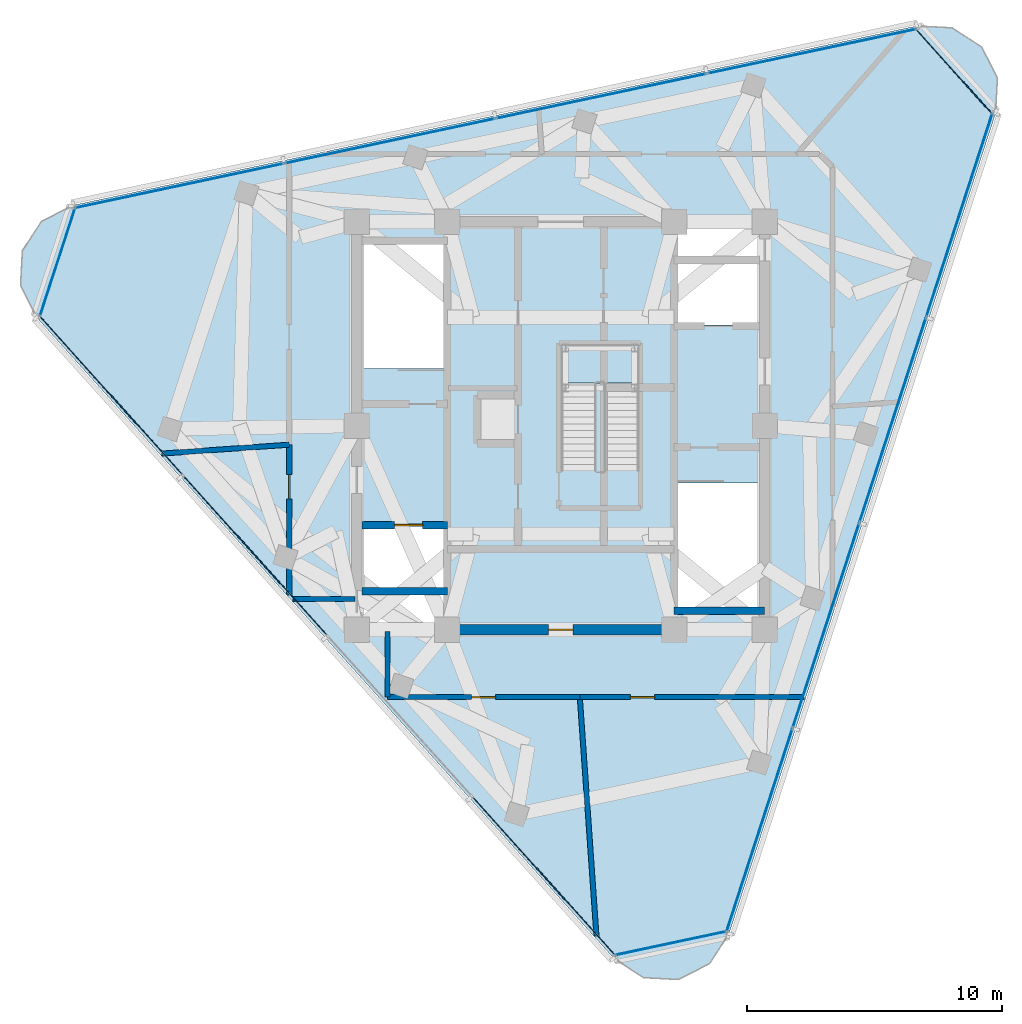
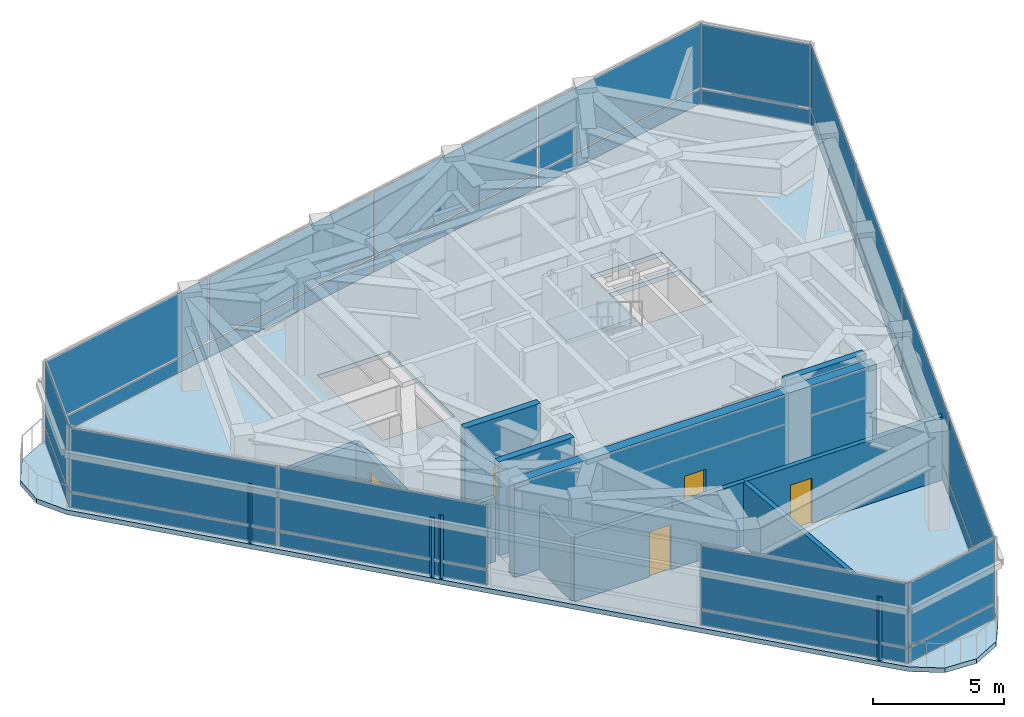
# One storey, part 6 of 11: 28 plates, 11 walls, 5 doors, 2 slabs, 5 openings, 7 elements without a shape of their own.
"""IFC4 building model written with IfcOpenShell, lengths in metres."""

import ifcopenshell
import ifcopenshell.guid

model = None  # the IFC model being written
_history = None  # IfcOwnerHistory: only IFC2X3 demands one
_inside = {}  # id of a spatial element -> (the spatial element, [elements in it])
_under = {}  # id of a project, library or spatial element -> (it, [spatial elements below it])
_declared = {}  # id of a project -> (the project, [libraries it declares])
_typed = {}  # id of a type object -> (the type object, [elements of that type])
_made_of = {}  # id of a material, layer set ... -> (it, [elements and type objects made of it])


def new_model(schema):
    """Start an empty IFC model of exactly this schema.

    Asked for "IFC4X3", IfcOpenShell would pick the latest addendum, in which some entities
    have other attributes; the version numbers below select the first issue.
    IFC2X3 requires an IfcOwnerHistory on every rooted entity: one is made here for all.
    """
    global model, _history
    if schema == "IFC4X3":
        model = ifcopenshell.file(schema_version=(4, 3, 0, 0))
    else:
        model = ifcopenshell.file(schema=schema)
    _inside.clear()
    _under.clear()
    _declared.clear()
    _typed.clear()
    _made_of.clear()
    _history = None
    if model.schema == "IFC2X3":
        org = make("IfcOrganization", Name="unknown")
        user = make(
            "IfcPersonAndOrganization",
            ThePerson=make("IfcPerson", FamilyName="unknown"),
            TheOrganization=org,
        )
        app = make(
            "IfcApplication",
            ApplicationDeveloper=org,
            Version="unknown",
            ApplicationFullName="unknown",
            ApplicationIdentifier="unknown",
        )
        _history = make(
            "IfcOwnerHistory",
            OwningUser=user,
            OwningApplication=app,
            ChangeAction="ADDED",
            CreationDate=0,
        )
    return model


def make(cls, **values):
    """One entity of the class cls with the attributes given. An attribute that is None is left unset."""
    return model.create_entity(
        cls, **{name: value for name, value in values.items() if value is not None}
    )


def rooted(cls, **values):
    """An entity with a GlobalId (a new one), such as an element, a storey or a relation."""
    return make(cls, GlobalId=ifcopenshell.guid.new(), OwnerHistory=_history, **values)


def si_unit(unit_type, name, prefix=None):
    """IfcSIUnit, for example si_unit("LENGTHUNIT", "METRE", prefix="MILLI")."""
    return make("IfcSIUnit", UnitType=unit_type, Prefix=prefix, Name=name)


def assignment(units):
    """IfcUnitAssignment: the units of a project."""
    return None if units is None else make("IfcUnitAssignment", Units=units)


def point(xyz):
    """IfcCartesianPoint."""
    return None if xyz is None else make("IfcCartesianPoint", Coordinates=xyz)


def direction(xyz):
    """IfcDirection."""
    return None if xyz is None else make("IfcDirection", DirectionRatios=xyz)


def frame(location, z_axis=None, x_axis=None):
    """IfcAxis2Placement3D, a coordinate frame: its origin and axes. An axis left out is left unset."""
    return make(
        "IfcAxis2Placement3D",
        Location=point(location),
        Axis=direction(z_axis),
        RefDirection=direction(x_axis),
    )


def frame_2d(location, x_axis=None):
    """IfcAxis2Placement2D, a coordinate frame in the plane: its origin and x axis."""
    return make(
        "IfcAxis2Placement2D", Location=point(location), RefDirection=direction(x_axis)
    )


def origin():
    """The frame at (0, 0, 0) with its axes left unset."""
    return frame((0.0, 0.0, 0.0))


def origin_2d():
    """The frame at (0, 0) in the plane with its x axis left unset."""
    return frame_2d((0.0, 0.0))


def place(relative_to, where):
    """IfcLocalPlacement: puts the frame where relative to a parent placement (None: the world)."""
    return make(
        "IfcLocalPlacement", PlacementRelTo=relative_to, RelativePlacement=where
    )


def context(
    kind, dimensions, precision=None, world=None, true_north=None, identifier=None
):
    """IfcGeometricRepresentationContext, for example the 3D "Model" context."""
    return make(
        "IfcGeometricRepresentationContext",
        ContextIdentifier=identifier,
        ContextType=kind,
        CoordinateSpaceDimension=dimensions,
        Precision=precision,
        WorldCoordinateSystem=world,
        TrueNorth=true_north,
    )


def subcontext(parent, identifier, kind, view, scale=None):
    """IfcGeometricRepresentationSubContext, for example "Body" below "Model"."""
    return make(
        "IfcGeometricRepresentationSubContext",
        ContextIdentifier=identifier,
        ContextType=kind,
        ParentContext=parent,
        TargetScale=scale,
        TargetView=view,
    )


def project(units=None, contexts=None):
    """IfcProject with its units and contexts."""
    return rooted(
        "IfcProject",
        Name="project",
        RepresentationContexts=contexts,
        UnitsInContext=assignment(units),
    )


def spatial(cls, under=None, at=None, **own):
    """A site, building, storey or space (cls), placed at a placement, below another one or the project."""
    s = rooted(cls, ObjectPlacement=at, **own)
    if under is not None:
        _under.setdefault(under.id(), (under, []))[1].append(s)
    return s


def polyline(points):
    """IfcPolyline through the points."""
    return make("IfcPolyline", Points=[point(p) for p in points])


def profile(cls, at=None, kind="AREA", **sizes):
    """A parametric profile (cls). Its sizes go by their IFC names, for example OverallWidth=200.0."""
    return make(cls, ProfileType=kind, Position=at, **sizes)


def rectangle(**sizes):
    """IfcRectangleProfileDef."""
    return profile("IfcRectangleProfileDef", **sizes)


def outline(outer, holes=None, kind="AREA"):
    """IfcArbitraryClosedProfileDef: a profile drawn as a closed curve; with holes, ...WithVoids."""
    if holes is None:
        return make("IfcArbitraryClosedProfileDef", ProfileType=kind, OuterCurve=outer)
    return make(
        "IfcArbitraryProfileDefWithVoids",
        ProfileType=kind,
        OuterCurve=outer,
        InnerCurves=holes,
    )


def extrude(swept, where, along, depth):
    """IfcExtrudedAreaSolid: the profile swept, set in the frame where, extruded along a direction by depth."""
    return make(
        "IfcExtrudedAreaSolid",
        SweptArea=swept,
        Position=where,
        ExtrudedDirection=direction(along),
        Depth=depth,
    )


def shape(context_of_items, identifier, shape_type, items):
    """IfcShapeRepresentation: the items that make up one representation, for example the "Body"."""
    return make(
        "IfcShapeRepresentation",
        ContextOfItems=context_of_items,
        RepresentationIdentifier=identifier,
        RepresentationType=shape_type,
        Items=items,
    )


def material(Name=None, Category=None):
    """IfcMaterial."""
    return make("IfcMaterial", Name=Name, Category=Category)


def layer(
    of_material, thickness, ventilated=None, Name=None, Category=None, Priority=None
):
    """IfcMaterialLayer: one layer of a wall or slab, of a material (None: an air gap)."""
    return make(
        "IfcMaterialLayer",
        Material=of_material,
        LayerThickness=thickness,
        IsVentilated=ventilated,
        Name=Name,
        Category=Category,
        Priority=Priority,
    )


def layer_set(layers, Name=None):
    """IfcMaterialLayerSet."""
    return make("IfcMaterialLayerSet", MaterialLayers=layers, LayerSetName=Name)


def made_of(thing, what):
    """Note that an element or type object is made of a material, layer set ...; save() writes the relation."""
    if what is not None:
        _made_of.setdefault(what.id(), (what, []))[1].append(thing)
    return thing


def type_object(cls, material=None, **own):
    """A type object (cls), such as IfcWallType, which elements share."""
    return made_of(rooted(cls, **own), material)


def element(
    cls,
    number,
    at=None,
    inside=None,
    cuts=None,
    type_object=None,
    material=None,
    context=None,
    identifier="Body",
    shape_type=None,
    held_by="IfcProductDefinitionShape",
    body=None,
    shapes=None,
    **own,
):
    """One element of the class cls, such as IfcWall. Its Tag is "e" and its number.

    at: its placement. inside: the storey or other place that contains it. cuts: it is an
    opening in that element (IfcRelVoidsElement). A single representation is given by context,
    identifier, shape_type and body (its items); several are given by shapes. held_by: the class
    of the entity that holds the representations. save() writes the other relations.
    """
    e = rooted(cls, Tag="e%d" % number, ObjectPlacement=at, **own)
    if body is not None:
        shapes = [shape(context, identifier, shape_type, body)]
    if shapes is not None:
        e.Representation = make(held_by, Representations=shapes)
    if inside is not None:
        _inside.setdefault(inside.id(), (inside, []))[1].append(e)
    if cuts is not None:
        rooted(
            "IfcRelVoidsElement", RelatingBuildingElement=cuts, RelatedOpeningElement=e
        )
    if type_object is not None:
        _typed.setdefault(type_object.id(), (type_object, []))[1].append(e)
    return made_of(e, material)


def fill(opening, filler):
    """IfcRelFillsElement: the door or window that sits in an opening."""
    return rooted(
        "IfcRelFillsElement",
        RelatingOpeningElement=opening,
        RelatedBuildingElement=filler,
    )


def aggregate(whole, parts):
    """IfcRelAggregates: a whole, such as a stair, and the parts it consists of."""
    return rooted("IfcRelAggregates", RelatingObject=whole, RelatedObjects=parts)


def save(model, path):
    """Write the relations noted so far, then the file.

    IfcRelAggregates (storeys below a building ...), IfcRelContainedInSpatialStructure (elements
    in a storey), IfcRelDefinesByType, IfcRelAssociatesMaterial and IfcRelDeclares: one each for
    every whole, place, type object, material and project.
    """
    for whole, parts in _under.values():
        aggregate(whole, parts)
    for where, things in _inside.values():
        rooted(
            "IfcRelContainedInSpatialStructure",
            RelatedElements=things,
            RelatingStructure=where,
        )
    for kind, things in _typed.values():
        rooted("IfcRelDefinesByType", RelatedObjects=things, RelatingType=kind)
    for what, things in _made_of.values():
        rooted("IfcRelAssociatesMaterial", RelatedObjects=things, RelatingMaterial=what)
    for by, libraries in _declared.values():
        rooted("IfcRelDeclares", RelatingContext=by, RelatedDefinitions=libraries)
    model.write(path)


model = new_model("IFC4")

# Units and contexts
model_context = context("Model", 3, precision=1e-05, world=origin(), true_north=direction((0.0, 1.0)))
body_context = subcontext(model_context, "Body", "Model", "MODEL_VIEW")
ifc_project = project(units=[si_unit("LENGTHUNIT", "METRE"), si_unit("AREAUNIT", "SQUARE_METRE"), si_unit("VOLUMEUNIT", "CUBIC_METRE"), si_unit("PLANEANGLEUNIT", "RADIAN"), si_unit("MASSUNIT", "GRAM", prefix="KILO")], contexts=[model_context])

# Site, building, storey
site_placement = place(None, origin())
site = spatial("IfcSite", under=ifc_project, at=site_placement, CompositionType="ELEMENT")
building_placement = place(site_placement, origin())
building = spatial("IfcBuilding", under=site, at=building_placement, Name="Terralouvre Media Tower", CompositionType="ELEMENT")
storey_placement = place(building_placement, frame((0.0, 0.0, 322.0)))
storey = spatial("IfcBuildingStorey", under=building, at=storey_placement, Name="L83", CompositionType="ELEMENT", Elevation=322.0)

# Slab
ifc_material_1 = material(Name="Concrete C40/50", Category="concrete")
ifc_layer_1 = layer(ifc_material_1, 0.219970703125, Name="Crown Plant and Catwalk Slab S-CRN220")
ifc_layer_set_1 = layer_set([ifc_layer_1], Name="Concrete C40/50")
slab_type_1 = type_object("IfcSlabType", Name="Crown Plant and Catwalk Slab S-CRN220", PredefinedType="FLOOR", material=ifc_layer_set_1)
slab_1_placement = place(storey_placement, frame((0.0, 0.0, -0.219970703125), z_axis=(0.0, 0.0, 1.0), x_axis=(0.309016994375, 0.951056516295, 0.0)))
element("IfcSlab", 1, at=slab_1_placement, inside=storey, type_object=slab_type_1, Name="L83 Structural Floor Slab", PredefinedType="FLOOR", context=body_context, shape_type="SweptSolid", body=[
    extrude(outline(polyline([(-19.244873046875, -8.461181640625), (-19.60009765625, -9.7861328125), (-19.244873046875, -11.111083984375), (-18.27490234375, -12.0810546875), (-16.949951171875, -12.43603515625), (16.949951171875, -12.43603515625), (18.27490234375, -12.0810546875), (19.244873046875, -11.111083984375), (19.60009765625, -9.7861328125), (19.244873046875, -8.461181640625), (2.294921875, 20.897216796875), (1.324951171875, 21.8671875), (0.0, 22.22216796875), (-1.324951171875, 21.8671875), (-2.294921875, 20.897216796875), (-19.244873046875, -8.461181640625)]), holes=[polyline([(-8.671875, 5.3310546875), (-7.698486328125, 2.33544921875), (-8.839599609375, 1.964599609375), (-9.813232421875, 4.96044921875), (-8.671875, 5.3310546875)]), polyline([(-5.17822265625, 3.154296875), (-7.50830078125, 2.397216796875), (-8.481689453125, 5.39306640625), (-6.151611328125, 6.150146484375), (-5.17822265625, 3.154296875)]), polyline([(-5.483154296875, -6.618408203125), (-0.713623046875, -5.068603515625), (0.26904296875, -8.093017578125), (-4.50048828125, -9.642578125), (-5.483154296875, -6.618408203125)]), polyline([(4.50048828125, 9.642578125), (5.483154296875, 6.618408203125), (0.713623046875, 5.068603515625), (-0.26904296875, 8.093017578125), (4.50048828125, 9.642578125)]), polyline([(8.481689453125, -5.39306640625), (6.151611328125, -6.150146484375), (5.17822265625, -3.154296875), (7.50830078125, -2.397216796875), (8.481689453125, -5.39306640625)]), polyline([(9.813232421875, -4.96044921875), (8.671875, -5.3310546875), (7.698486328125, -2.33544921875), (8.839599609375, -1.964599609375), (9.813232421875, -4.96044921875)])]), origin(), (0.0, 0.0, 1.0), 0.219970703125),
])

# Stair, slab
ifc_material_2 = material(Name="Concrete C45/55", Category="concrete")
stair_type = type_object("IfcStairType", Name="Dogleg Stair Assembly ST-05", PredefinedType="HALF_TURN_STAIR", material=ifc_material_2)
stair_placement = place(storey_placement, origin())
stair = element("IfcStair", 2, at=stair_placement, inside=storey, type_object=stair_type, Name="L83 Crown Maintenance Stair ST-05", PredefinedType="HALF_TURN_STAIR")
ifc_material_3 = material(Name="Concrete C45/55", Category="concrete")
ifc_layer_2 = layer(ifc_material_3, 0.199951171875, Name="Reinforced Concrete Stair Half-Landing SL-LD1")
ifc_layer_set_2 = layer_set([ifc_layer_2], Name="Concrete C45/55")
slab_type_2 = type_object("IfcSlabType", Name="Reinforced Concrete Stair Half-Landing SL-LD1", PredefinedType="LANDING", material=ifc_layer_set_2)
slab_2_placement = place(storey_placement, frame((0.0, 0.0, 2.10009765625)))
slab_2 = element("IfcSlab", 3, at=slab_2_placement, type_object=slab_type_2, Name="ST-05 landing 1", PredefinedType="LANDING", context=body_context, shape_type="SweptSolid", body=[
    extrude(outline(polyline([(3.080078125, 1.6650390625), (3.080078125, 3.199951171875), (0.0, 3.199951171875), (0.0, 1.6650390625), (3.080078125, 1.6650390625)])), origin(), (0.0, 0.0, 1.0), 0.199951171875),
])
aggregate(stair, [slab_2])

# Curtain wall, plates
ifc_material_4 = material(Name="Low-iron laminated double glazing with solar-control coating", Category="glass")
ifc_layer_3 = layer(ifc_material_4, 0.1650390625, Name="Rounded Wind-Corner Curved Glazing CW-04")
ifc_layer_set_3 = layer_set([ifc_layer_3], Name="Low-iron laminated double glazing with solar-control coating")
curtain_wall_type_1 = type_object("IfcCurtainWallType", Name="Rounded Wind-Corner Curved Glazing CW-04", PredefinedType="NOTDEFINED", material=ifc_layer_set_3)
curtain_wall_1_placement = place(storey_placement, origin())
curtain_wall_1 = element("IfcCurtainWall", 4, at=curtain_wall_1_placement, inside=storey, type_object=curtain_wall_type_1, Name="L83 Rounded Wind-Corner Curtain Wall C0", PredefinedType="NOTDEFINED")
ifc_material_5 = material(Name="Low-iron laminated double glazing with solar-control coating", Category="glass")
ifc_layer_4 = layer(ifc_material_5, 0.0400390625, Name="Rounded Corner Laminated Vision Panel CWP-03")
ifc_layer_set_4 = layer_set([ifc_layer_4], Name="Low-iron laminated double glazing with solar-control coating")
plate_type_1 = type_object("IfcPlateType", Name="Rounded Corner Laminated Vision Panel CWP-03", PredefinedType="CURTAIN_PANEL", material=ifc_layer_set_4)
plate_1_placement = place(storey_placement, frame((4.315673828125, -20.303466796875, 0.074951171875), z_axis=(0.0, 0.0, 1.0), x_axis=(0.97814770891, 0.207911181887, 0.0)))
plate_1 = element("IfcPlate", 5, at=plate_1_placement, type_object=plate_type_1, Name="CW-04 panel 1.1", PredefinedType="CURTAIN_PANEL", context=body_context, shape_type="SweptSolid", body=[
    extrude(rectangle(XDim=4.43994140625, YDim=0.035888671875, at=origin_2d()), origin(), (0.0, 0.0, 1.0), 0.6875),
])
plate_2_placement = place(storey_placement, frame((4.315673828125, -20.303466796875, 0.83740234375), z_axis=(0.0, 0.0, 1.0), x_axis=(0.97814770891, 0.207911181887, 0.0)))
plate_2 = element("IfcPlate", 6, at=plate_2_placement, type_object=plate_type_1, Name="CW-04 panel 1.2", PredefinedType="CURTAIN_PANEL", context=body_context, shape_type="SweptSolid", body=[
    extrude(rectangle(XDim=4.43994140625, YDim=0.035888671875, at=origin_2d()), origin(), (0.0, 0.0, 1.0), 2.967529296875),
])
aggregate(curtain_wall_1, [plate_1, plate_2])

curtain_wall_2_placement = place(storey_placement, origin())
curtain_wall_2 = element("IfcCurtainWall", 7, at=curtain_wall_2_placement, inside=storey, type_object=curtain_wall_type_1, Name="L83 Rounded Wind-Corner Curtain Wall C1", PredefinedType="NOTDEFINED")
plate_3_placement = place(storey_placement, frame((15.425537109375, 13.88916015625, 0.074951171875), z_axis=(0.0, 0.0, 1.0), x_axis=(-0.66913178706, 0.743143762368, 0.0)))
plate_3 = element("IfcPlate", 8, at=plate_3_placement, type_object=plate_type_1, Name="CW-04 panel 1.1", PredefinedType="CURTAIN_PANEL", context=body_context, shape_type="SweptSolid", body=[
    extrude(rectangle(XDim=4.43994140625, YDim=0.035888671875, at=origin_2d()), origin(), (0.0, 0.0, 1.0), 0.6875),
])
plate_4_placement = place(storey_placement, frame((15.425537109375, 13.88916015625, 0.83740234375), z_axis=(0.0, 0.0, 1.0), x_axis=(-0.66913178706, 0.743143762368, 0.0)))
plate_4 = element("IfcPlate", 9, at=plate_4_placement, type_object=plate_type_1, Name="CW-04 panel 1.2", PredefinedType="CURTAIN_PANEL", context=body_context, shape_type="SweptSolid", body=[
    extrude(rectangle(XDim=4.43994140625, YDim=0.035888671875, at=origin_2d()), origin(), (0.0, 0.0, 1.0), 2.967529296875),
])
aggregate(curtain_wall_2, [plate_3, plate_4])

curtain_wall_3_placement = place(storey_placement, origin())
curtain_wall_3 = element("IfcCurtainWall", 10, at=curtain_wall_3_placement, inside=storey, type_object=curtain_wall_type_1, Name="L83 Rounded Wind-Corner Curtain Wall C2", PredefinedType="NOTDEFINED")
plate_5_placement = place(storey_placement, frame((-19.7412109375, 6.414306640625, 0.074951171875), z_axis=(0.0, 0.0, 1.0), x_axis=(-0.309017890708, -0.951056225058, 0.0)))
plate_5 = element("IfcPlate", 11, at=plate_5_placement, type_object=plate_type_1, Name="CW-04 panel 1.1", PredefinedType="CURTAIN_PANEL", context=body_context, shape_type="SweptSolid", body=[
    extrude(rectangle(XDim=4.43994140625, YDim=0.035888671875, at=origin_2d()), origin(), (0.0, 0.0, 1.0), 0.6875),
])
plate_6_placement = place(storey_placement, frame((-19.7412109375, 6.414306640625, 0.83740234375), z_axis=(0.0, 0.0, 1.0), x_axis=(-0.309017890708, -0.951056225058, 0.0)))
plate_6 = element("IfcPlate", 12, at=plate_6_placement, type_object=plate_type_1, Name="CW-04 panel 1.2", PredefinedType="CURTAIN_PANEL", context=body_context, shape_type="SweptSolid", body=[
    extrude(rectangle(XDim=4.43994140625, YDim=0.035888671875, at=origin_2d()), origin(), (0.0, 0.0, 1.0), 2.967529296875),
])
aggregate(curtain_wall_3, [plate_5, plate_6])

ifc_material_6 = material(Name="Low-iron laminated double glazing with solar-control coating", Category="glass")
ifc_layer_5 = layer(ifc_material_6, 0.1650390625, Name="Faceted Glass-Point Crown Curtain Wall CW-06")
ifc_layer_set_5 = layer_set([ifc_layer_5], Name="Low-iron laminated double glazing with solar-control coating")
curtain_wall_type_2 = type_object("IfcCurtainWallType", Name="Faceted Glass-Point Crown Curtain Wall CW-06", PredefinedType="NOTDEFINED", material=ifc_layer_set_5)
curtain_wall_4_placement = place(storey_placement, origin())
curtain_wall_4 = element("IfcCurtainWall", 13, at=curtain_wall_4_placement, inside=storey, type_object=curtain_wall_type_2, Name="L83 Facade Curtain Wall F0", PredefinedType="NOTDEFINED")
ifc_material_7 = material(Name="Low-iron laminated double glazing with solar-control coating", Category="glass")
ifc_layer_6 = layer(ifc_material_7, 0.035888671875, Name="Vision Double-Glazed Unit CWP-01")
ifc_layer_set_6 = layer_set([ifc_layer_6], Name="Low-iron laminated double glazing with solar-control coating")
plate_type_2 = type_object("IfcPlateType", Name="Vision Double-Glazed Unit CWP-01", PredefinedType="CURTAIN_PANEL", material=ifc_layer_set_6)
plate_7_placement = place(storey_placement, frame((7.790771484375, -15.87841796875, 0.074951171875), z_axis=(0.0, 0.0, 1.0), x_axis=(0.30901679585, 0.9510565808, 0.0)))
plate_7 = element("IfcPlate", 14, at=plate_7_placement, type_object=plate_type_2, Name="CW-06 panel 1.1", PredefinedType="CURTAIN_PANEL", context=body_context, shape_type="SweptSolid", body=[
    extrude(rectangle(XDim=8.362548828125, YDim=0.035888671875, at=origin_2d()), origin(), (0.0, 0.0, 1.0), 0.6875),
])
plate_8_placement = place(storey_placement, frame((7.790771484375, -15.87841796875, 0.83740234375), z_axis=(0.0, 0.0, 1.0), x_axis=(0.30901679585, 0.9510565808, 0.0)))
plate_8 = element("IfcPlate", 15, at=plate_8_placement, type_object=plate_type_2, Name="CW-06 panel 1.2", PredefinedType="CURTAIN_PANEL", context=body_context, shape_type="SweptSolid", body=[
    extrude(rectangle(XDim=8.362548828125, YDim=0.035888671875, at=origin_2d()), origin(), (0.0, 0.0, 1.0), 2.967529296875),
])
plate_9_placement = place(storey_placement, frame((10.40380859375, -7.8359375, 0.074951171875), z_axis=(0.0, 0.0, 1.0), x_axis=(0.30901679585, 0.9510565808, 0.0)))
plate_9 = element("IfcPlate", 16, at=plate_9_placement, type_object=plate_type_2, Name="CW-06 panel 2.1", PredefinedType="CURTAIN_PANEL", context=body_context, shape_type="SweptSolid", body=[
    extrude(rectangle(XDim=8.39990234375, YDim=0.035888671875, at=origin_2d()), origin(), (0.0, 0.0, 1.0), 0.6875),
])
plate_10_placement = place(storey_placement, frame((10.40380859375, -7.8359375, 0.83740234375), z_axis=(0.0, 0.0, 1.0), x_axis=(0.30901679585, 0.9510565808, 0.0)))
plate_10 = element("IfcPlate", 17, at=plate_10_placement, type_object=plate_type_2, Name="CW-06 panel 2.2", PredefinedType="CURTAIN_PANEL", context=body_context, shape_type="SweptSolid", body=[
    extrude(rectangle(XDim=8.39990234375, YDim=0.035888671875, at=origin_2d()), origin(), (0.0, 0.0, 1.0), 2.967529296875),
])
plate_11_placement = place(storey_placement, frame((13.022705078125, 0.22412109375, 0.074951171875), z_axis=(0.0, 0.0, 1.0), x_axis=(0.30901679585, 0.9510565808, 0.0)))
plate_11 = element("IfcPlate", 18, at=plate_11_placement, type_object=plate_type_2, Name="CW-06 panel 3.1", PredefinedType="CURTAIN_PANEL", context=body_context, shape_type="SweptSolid", body=[
    extrude(rectangle(XDim=8.39990234375, YDim=0.035888671875, at=origin_2d()), origin(), (0.0, 0.0, 1.0), 0.6875),
])
plate_12_placement = place(storey_placement, frame((13.022705078125, 0.22412109375, 0.83740234375), z_axis=(0.0, 0.0, 1.0), x_axis=(0.30901679585, 0.9510565808, 0.0)))
plate_12 = element("IfcPlate", 19, at=plate_12_placement, type_object=plate_type_2, Name="CW-06 panel 3.2", PredefinedType="CURTAIN_PANEL", context=body_context, shape_type="SweptSolid", body=[
    extrude(rectangle(XDim=8.39990234375, YDim=0.035888671875, at=origin_2d()), origin(), (0.0, 0.0, 1.0), 2.967529296875),
])
plate_13_placement = place(storey_placement, frame((15.635986328125, 8.2666015625, 0.074951171875), z_axis=(0.0, 0.0, 1.0), x_axis=(0.30901679585, 0.9510565808, 0.0)))
plate_13 = element("IfcPlate", 20, at=plate_13_placement, type_object=plate_type_2, Name="CW-06 panel 4.1", PredefinedType="CURTAIN_PANEL", context=body_context, shape_type="SweptSolid", body=[
    extrude(rectangle(XDim=8.362548828125, YDim=0.035888671875, at=origin_2d()), origin(), (0.0, 0.0, 1.0), 0.6875),
])
plate_14_placement = place(storey_placement, frame((15.635986328125, 8.2666015625, 0.83740234375), z_axis=(0.0, 0.0, 1.0), x_axis=(0.30901679585, 0.9510565808, 0.0)))
plate_14 = element("IfcPlate", 21, at=plate_14_placement, type_object=plate_type_2, Name="CW-06 panel 4.2", PredefinedType="CURTAIN_PANEL", context=body_context, shape_type="SweptSolid", body=[
    extrude(rectangle(XDim=8.362548828125, YDim=0.035888671875, at=origin_2d()), origin(), (0.0, 0.0, 1.0), 2.967529296875),
])
aggregate(curtain_wall_4, [plate_7, plate_8, plate_9, plate_10, plate_11, plate_12, plate_13, plate_14])

curtain_wall_5_placement = place(storey_placement, origin())
curtain_wall_5 = element("IfcCurtainWall", 22, at=curtain_wall_5_placement, inside=storey, type_object=curtain_wall_type_2, Name="L83 Facade Curtain Wall F1", PredefinedType="NOTDEFINED")
plate_15_placement = place(storey_placement, frame((9.855712890625, 14.68603515625, 0.074951171875), z_axis=(0.0, 0.0, 1.0), x_axis=(-0.978147633966, -0.207911534473, 0.0)))
plate_15 = element("IfcPlate", 23, at=plate_15_placement, type_object=plate_type_2, Name="CW-06 panel 1.1", PredefinedType="CURTAIN_PANEL", context=body_context, shape_type="SweptSolid", body=[
    extrude(rectangle(XDim=8.362548828125, YDim=0.035888671875, at=origin_2d()), origin(), (0.0, 0.0, 1.0), 0.6875),
])
plate_16_placement = place(storey_placement, frame((9.855712890625, 14.68603515625, 0.83740234375), z_axis=(0.0, 0.0, 1.0), x_axis=(-0.978147633966, -0.207911534473, 0.0)))
plate_16 = element("IfcPlate", 24, at=plate_16_placement, type_object=plate_type_2, Name="CW-06 panel 1.2", PredefinedType="CURTAIN_PANEL", context=body_context, shape_type="SweptSolid", body=[
    extrude(rectangle(XDim=8.362548828125, YDim=0.035888671875, at=origin_2d()), origin(), (0.0, 0.0, 1.0), 2.967529296875),
])
plate_17_placement = place(storey_placement, frame((1.584228515625, 12.927978515625, 0.074951171875), z_axis=(0.0, 0.0, 1.0), x_axis=(-0.978147633966, -0.207911534473, 0.0)))
plate_17 = element("IfcPlate", 25, at=plate_17_placement, type_object=plate_type_2, Name="CW-06 panel 2.1", PredefinedType="CURTAIN_PANEL", context=body_context, shape_type="SweptSolid", body=[
    extrude(rectangle(XDim=8.39990234375, YDim=0.035888671875, at=origin_2d()), origin(), (0.0, 0.0, 1.0), 0.6875),
])
plate_18_placement = place(storey_placement, frame((1.584228515625, 12.927978515625, 0.83740234375), z_axis=(0.0, 0.0, 1.0), x_axis=(-0.978147633966, -0.207911534473, 0.0)))
plate_18 = element("IfcPlate", 26, at=plate_18_placement, type_object=plate_type_2, Name="CW-06 panel 2.2", PredefinedType="CURTAIN_PANEL", context=body_context, shape_type="SweptSolid", body=[
    extrude(rectangle(XDim=8.39990234375, YDim=0.035888671875, at=origin_2d()), origin(), (0.0, 0.0, 1.0), 2.967529296875),
])
plate_19_placement = place(storey_placement, frame((-6.70556640625, 11.166015625, 0.074951171875), z_axis=(0.0, 0.0, 1.0), x_axis=(-0.978147633966, -0.207911534473, 0.0)))
plate_19 = element("IfcPlate", 27, at=plate_19_placement, type_object=plate_type_2, Name="CW-06 panel 3.1", PredefinedType="CURTAIN_PANEL", context=body_context, shape_type="SweptSolid", body=[
    extrude(rectangle(XDim=8.39990234375, YDim=0.035888671875, at=origin_2d()), origin(), (0.0, 0.0, 1.0), 0.6875),
])
plate_20_placement = place(storey_placement, frame((-6.70556640625, 11.166015625, 0.83740234375), z_axis=(0.0, 0.0, 1.0), x_axis=(-0.978147633966, -0.207911534473, 0.0)))
plate_20 = element("IfcPlate", 28, at=plate_20_placement, type_object=plate_type_2, Name="CW-06 panel 3.2", PredefinedType="CURTAIN_PANEL", context=body_context, shape_type="SweptSolid", body=[
    extrude(rectangle(XDim=8.39990234375, YDim=0.035888671875, at=origin_2d()), origin(), (0.0, 0.0, 1.0), 2.967529296875),
])
plate_21_placement = place(storey_placement, frame((-14.97705078125, 9.40771484375, 0.074951171875), z_axis=(0.0, 0.0, 1.0), x_axis=(-0.978147633966, -0.207911534473, 0.0)))
plate_21 = element("IfcPlate", 29, at=plate_21_placement, type_object=plate_type_2, Name="CW-06 panel 4.1", PredefinedType="CURTAIN_PANEL", context=body_context, shape_type="SweptSolid", body=[
    extrude(rectangle(XDim=8.362548828125, YDim=0.035888671875, at=origin_2d()), origin(), (0.0, 0.0, 1.0), 0.6875),
])
plate_22_placement = place(storey_placement, frame((-14.97705078125, 9.40771484375, 0.83740234375), z_axis=(0.0, 0.0, 1.0), x_axis=(-0.978147633966, -0.207911534473, 0.0)))
plate_22 = element("IfcPlate", 30, at=plate_22_placement, type_object=plate_type_2, Name="CW-06 panel 4.2", PredefinedType="CURTAIN_PANEL", context=body_context, shape_type="SweptSolid", body=[
    extrude(rectangle(XDim=8.362548828125, YDim=0.035888671875, at=origin_2d()), origin(), (0.0, 0.0, 1.0), 2.967529296875),
])
aggregate(curtain_wall_5, [plate_15, plate_16, plate_17, plate_18, plate_19, plate_20, plate_21, plate_22])

curtain_wall_6_placement = place(storey_placement, origin())
curtain_wall_6 = element("IfcCurtainWall", 31, at=curtain_wall_6_placement, inside=storey, type_object=curtain_wall_type_2, Name="L83 Facade Curtain Wall F2", PredefinedType="NOTDEFINED")
plate_23_placement = place(storey_placement, frame((-17.646484375, 1.192138671875, 0.074951171875), z_axis=(0.0, 0.0, 1.0), x_axis=(0.669130640069, -0.743144795125, 0.0)))
plate_23 = element("IfcPlate", 32, at=plate_23_placement, type_object=plate_type_2, Name="CW-06 panel 1.1", PredefinedType="CURTAIN_PANEL", context=body_context, shape_type="SweptSolid", body=[
    extrude(rectangle(XDim=8.362548828125, YDim=0.035888671875, at=origin_2d()), origin(), (0.0, 0.0, 1.0), 0.6875),
])
plate_24_placement = place(storey_placement, frame((-17.646484375, 1.192138671875, 0.83740234375), z_axis=(0.0, 0.0, 1.0), x_axis=(0.669130640069, -0.743144795125, 0.0)))
plate_24 = element("IfcPlate", 33, at=plate_24_placement, type_object=plate_type_2, Name="CW-06 panel 1.2", PredefinedType="CURTAIN_PANEL", context=body_context, shape_type="SweptSolid", body=[
    extrude(rectangle(XDim=8.362548828125, YDim=0.035888671875, at=origin_2d()), origin(), (0.0, 0.0, 1.0), 2.967529296875),
])
plate_25_placement = place(storey_placement, frame((-11.988037109375, -5.092041015625, 0.074951171875), z_axis=(0.0, 0.0, 1.0), x_axis=(0.669130640069, -0.743144795125, 0.0)))
plate_25 = element("IfcPlate", 34, at=plate_25_placement, type_object=plate_type_2, Name="CW-06 panel 2.1", PredefinedType="CURTAIN_PANEL", context=body_context, shape_type="SweptSolid", body=[
    extrude(rectangle(XDim=8.39990234375, YDim=0.035888671875, at=origin_2d()), origin(), (0.0, 0.0, 1.0), 0.6875),
])
plate_26_placement = place(storey_placement, frame((-11.988037109375, -5.092041015625, 0.83740234375), z_axis=(0.0, 0.0, 1.0), x_axis=(0.669130640069, -0.743144795125, 0.0)))
plate_26 = element("IfcPlate", 35, at=plate_26_placement, type_object=plate_type_2, Name="CW-06 panel 2.2", PredefinedType="CURTAIN_PANEL", context=body_context, shape_type="SweptSolid", body=[
    extrude(rectangle(XDim=8.39990234375, YDim=0.035888671875, at=origin_2d()), origin(), (0.0, 0.0, 1.0), 2.967529296875),
])
plate_27_placement = place(storey_placement, frame((-0.658935546875, -17.67431640625, 0.074951171875), z_axis=(0.0, 0.0, 1.0), x_axis=(0.669130640069, -0.743144795125, 0.0)))
plate_27 = element("IfcPlate", 36, at=plate_27_placement, type_object=plate_type_2, Name="CW-06 panel 4.1", PredefinedType="CURTAIN_PANEL", context=body_context, shape_type="SweptSolid", body=[
    extrude(rectangle(XDim=8.362548828125, YDim=0.035888671875, at=origin_2d()), origin(), (0.0, 0.0, 1.0), 0.6875),
])
plate_28_placement = place(storey_placement, frame((-0.658935546875, -17.67431640625, 0.83740234375), z_axis=(0.0, 0.0, 1.0), x_axis=(0.669130640069, -0.743144795125, 0.0)))
plate_28 = element("IfcPlate", 37, at=plate_28_placement, type_object=plate_type_2, Name="CW-06 panel 4.2", PredefinedType="CURTAIN_PANEL", context=body_context, shape_type="SweptSolid", body=[
    extrude(rectangle(XDim=8.362548828125, YDim=0.035888671875, at=origin_2d()), origin(), (0.0, 0.0, 1.0), 2.967529296875),
])
aggregate(curtain_wall_6, [plate_23, plate_24, plate_25, plate_26, plate_27, plate_28])

# Wall
ifc_material_8 = material(Name="Concrete C50/60", Category="concrete")
ifc_layer_7 = layer(ifc_material_8, 0.300048828125, Name="Core Internal Shaft Wall CW-300")
ifc_layer_set_7 = layer_set([ifc_layer_7], Name="Concrete C50/60")
wall_type_1 = type_object("IfcWallType", Name="Core Internal Shaft Wall CW-300", PredefinedType="SHEAR", material=ifc_layer_set_7)
wall_1_placement = place(storey_placement, frame((4.449951171875, -7.260009765625, 0.0), z_axis=(0.0, 0.0, 1.0), x_axis=(1.0, 0.0, 0.0)))
element("IfcWall", 38, at=wall_1_placement, inside=storey, type_object=wall_type_1, Name="L83 Core Shaft Wall ST2F", PredefinedType="SHEAR", context=body_context, shape_type="SweptSolid", body=[
    extrude(rectangle(XDim=3.550048828125, YDim=0.300048828125, at=frame_2d((1.77490234375, 0.0))), origin(), (0.0, 0.0, 1.0), 4.3798828125),
])

# Wall, opening, door
wall_2_placement = place(storey_placement, frame((-7.7900390625, -3.89990234375, 0.0), z_axis=(0.0, 0.0, 1.0), x_axis=(1.0, 0.0, 0.0)))
wall_2 = element("IfcWall", 39, at=wall_2_placement, inside=storey, type_object=wall_type_1, Name="L83 Core Shaft Wall FF1N", PredefinedType="SHEAR", context=body_context, shape_type="SweptSolid", body=[
    extrude(rectangle(XDim=3.340087890625, YDim=0.300048828125, at=frame_2d((1.669921875, 0.0))), origin(), (0.0, 0.0, 1.0), 4.3798828125),
])
opening_1_placement = place(wall_2_placement, frame((1.27001953125, 0.0, 0.0)))
opening_1 = element("IfcOpeningElement", 40, at=opening_1_placement, cuts=wall_2, Name="Opening LD-FF", PredefinedType="OPENING", context=body_context, shape_type="SweptSolid", body=[
    extrude(rectangle(XDim=1.10009765625, YDim=2.10009765625, at=frame_2d((0.550048828125, 1.050048828125))), frame((0.0, 0.159912109375, 0.0), z_axis=(0.0, -1.0, 0.0), x_axis=(1.0, 0.0, 0.0)), (0.0, 0.0, 1.0), 0.320068359375),
])
ifc_material_9 = material(Name="Stainless steel 316 handrail and balustrade", Category="steel")
door_type_1 = type_object("IfcDoorType", Name="Firefighting Lift Sliding Landing Door LD-FF", OperationType="SLIDING_TO_LEFT", PredefinedType="DOOR", material=ifc_material_9)
door_1_placement = place(opening_1_placement, origin())
door_1 = element("IfcDoor", 41, at=door_1_placement, inside=storey, type_object=door_type_1, Name="L83 Firefighting Lift FFL-01 Landing Door", OperationType="SLIDING_TO_LEFT", OverallHeight=2.10009765625, OverallWidth=1.10009765625, PredefinedType="DOOR", context=body_context, shape_type="SweptSolid", body=[
    extrude(rectangle(XDim=1.10009765625, YDim=2.10009765625, at=frame_2d((0.550048828125, 1.050048828125))), frame((0.0, 0.02490234375, 0.0), z_axis=(0.0, -1.0, 0.0), x_axis=(1.0, 0.0, 0.0)), (0.0, 0.0, 1.0), 0.050048828125),
])
fill(opening_1, door_1)

# Wall
wall_3_placement = place(storey_placement, frame((-7.7900390625, -6.5, 0.0), z_axis=(0.0, 0.0, 1.0), x_axis=(1.0, 0.0, 0.0)))
element("IfcWall", 42, at=wall_3_placement, inside=storey, type_object=wall_type_1, Name="L83 Core Shaft Wall FF1S", PredefinedType="SHEAR", context=body_context, shape_type="SweptSolid", body=[
    extrude(rectangle(XDim=3.340087890625, YDim=0.300048828125, at=frame_2d((1.669921875, 0.0))), origin(), (0.0, 0.0, 1.0), 4.3798828125),
])

# Wall, opening, door
ifc_material_10 = material(Name="Concrete C60/75", Category="concrete")
ifc_layer_8 = layer(ifc_material_10, 0.419921875, Name="Core Reinforced Concrete Shear Wall CW-420")
ifc_layer_set_8 = layer_set([ifc_layer_8], Name="Concrete C60/75")
wall_type_2 = type_object("IfcWallType", Name="Core Reinforced Concrete Shear Wall CW-420", PredefinedType="SHEAR", material=ifc_layer_set_8)
wall_4_placement = place(storey_placement, frame((-8.0, -8.0, 0.0), z_axis=(0.0, 0.0, 1.0), x_axis=(1.0, 0.0, 0.0)))
wall_4 = element("IfcWall", 43, at=wall_4_placement, inside=storey, type_object=wall_type_2, Name="L83 S Core Shear Wall", PredefinedType="SHEAR", context=body_context, shape_type="SweptSolid", body=[
    extrude(rectangle(XDim=16.0, YDim=0.419921875, at=frame_2d((8.0, 0.0))), origin(), (0.0, 0.0, 1.0), 4.3798828125),
])
opening_2_placement = place(wall_4_placement, frame((7.52001953125, 0.0, 0.0)))
opening_2 = element("IfcOpeningElement", 44, at=opening_2_placement, cuts=wall_4, Name="Opening FD-02-95X210", PredefinedType="OPENING", context=body_context, shape_type="SweptSolid", body=[
    extrude(rectangle(XDim=0.949951171875, YDim=2.10009765625, at=frame_2d((0.47509765625, 1.050048828125))), frame((0.0, 0.219970703125, 0.0), z_axis=(0.0, -1.0, 0.0), x_axis=(1.0, 0.0, 0.0)), (0.0, 0.0, 1.0), 0.43994140625),
])
ifc_material_11 = material(Name="Galvanised steel fire-resisting leaf", Category="steel")
door_type_2 = type_object("IfcDoorType", Name="Plant and Riser Fire Door FD-02 (950x2100)", OperationType="NOTDEFINED", PredefinedType="DOOR", material=ifc_material_11)
door_2_placement = place(opening_2_placement, origin())
door_2 = element("IfcDoor", 45, at=door_2_placement, inside=storey, type_object=door_type_2, Name="L83 Core Switchgear Plant Door", OperationType="SINGLE_SWING_LEFT", OverallHeight=2.10009765625, OverallWidth=0.949951171875, PredefinedType="DOOR", context=body_context, shape_type="SweptSolid", body=[
    extrude(rectangle(XDim=0.949951171875, YDim=2.10009765625, at=frame_2d((0.47509765625, 1.050048828125))), frame((0.0, 0.02490234375, 0.0), z_axis=(0.0, -1.0, 0.0), x_axis=(1.0, 0.0, 0.0)), (0.0, 0.0, 1.0), 0.050048828125),
])
fill(opening_2, door_2)

ifc_material_12 = material(Name="Fire-rated gypsum board drywall partition")
ifc_layer_9 = layer(ifc_material_12, 0.199951171875, Name="Fire-Rated Shaft and Lobby Partition FW-200")
ifc_layer_set_9 = layer_set([ifc_layer_9], Name="Fire-rated gypsum board drywall partition")
wall_type_3 = type_object("IfcWallType", Name="Fire-Rated Shaft and Lobby Partition FW-200", PredefinedType="SOLIDWALL", material=ifc_layer_set_9)
wall_5_placement = place(storey_placement, frame((-10.64990234375, -0.7451171875, 0.0), z_axis=(0.0, 0.0, 1.0), x_axis=(0.0, -1.0, 0.0)))
wall_5 = element("IfcWall", 46, at=wall_5_placement, inside=storey, type_object=wall_type_3, Name="L83 Interior Partition 001", PredefinedType="SOLIDWALL", context=body_context, shape_type="SweptSolid", body=[
    extrude(rectangle(XDim=5.892822265625, YDim=0.199951171875, at=frame_2d((2.9462890625, 0.0))), origin(), (0.0, 0.0, 1.0), 2.764892578125),
])
opening_3_placement = place(wall_5_placement, frame((1.175048828125, 0.0, 0.0)))
opening_3 = element("IfcOpeningElement", 47, at=opening_3_placement, cuts=wall_5, Name="Opening FD-02-95X210", PredefinedType="OPENING", context=body_context, shape_type="SweptSolid", body=[
    extrude(rectangle(XDim=0.949951171875, YDim=2.10009765625, at=frame_2d((0.47509765625, 1.050048828125))), frame((0.0, 0.10986328125, 0.0), z_axis=(0.0, -1.0, 0.0), x_axis=(1.0, 0.0, 0.0)), (0.0, 0.0, 1.0), 0.219970703125),
])
door_3_placement = place(opening_3_placement, origin())
door_3 = element("IfcDoor", 48, at=door_3_placement, inside=storey, type_object=door_type_2, Name="L83 L83 High-Zone Chiller and Heat-Rejection Plant Room Door", OperationType="SINGLE_SWING_RIGHT", OverallHeight=2.10009765625, OverallWidth=0.949951171875, PredefinedType="DOOR", context=body_context, shape_type="SweptSolid", body=[
    extrude(rectangle(XDim=0.949951171875, YDim=2.10009765625, at=frame_2d((0.47509765625, 1.050048828125))), frame((0.0, 0.02490234375, 0.0), z_axis=(0.0, -1.0, 0.0), x_axis=(1.0, 0.0, 0.0)), (0.0, 0.0, 1.0), 0.050048828125),
])
fill(opening_3, door_3)

# Walls
wall_6_placement = place(storey_placement, frame((-10.50390625, -6.800048828125, 0.0), z_axis=(0.0, 0.0, 1.0), x_axis=(1.0, 0.0, 0.0)))
element("IfcWall", 49, at=wall_6_placement, inside=storey, type_object=wall_type_3, Name="L83 Interior Partition 002", PredefinedType="SOLIDWALL", context=body_context, shape_type="SweptSolid", body=[
    extrude(rectangle(XDim=2.423828125, YDim=0.199951171875, at=frame_2d((1.2119140625, 0.0))), origin(), (0.0, 0.0, 1.0), 2.965087890625),
])
wall_7_placement = place(storey_placement, frame((-6.800048828125, -8.080078125, 0.0), z_axis=(0.0, 0.0, 1.0), x_axis=(0.0, -1.0, 0.0)))
element("IfcWall", 50, at=wall_7_placement, inside=storey, type_object=wall_type_3, Name="L83 Interior Partition 003", PredefinedType="SOLIDWALL", context=body_context, shape_type="SweptSolid", body=[
    extrude(rectangle(XDim=2.56982421875, YDim=0.199951171875, at=frame_2d((1.284912109375, 0.0))), origin(), (0.0, 0.0, 1.0), 2.965087890625),
])

# Wall, opening, door
wall_8_placement = place(storey_placement, frame((-6.800048828125, -10.64990234375, 0.0), z_axis=(0.0, 0.0, 1.0), x_axis=(1.0, 0.0, 0.0)))
wall_8 = element("IfcWall", 51, at=wall_8_placement, inside=storey, type_object=wall_type_3, Name="L83 Interior Partition 004", PredefinedType="SOLIDWALL", context=body_context, shape_type="SweptSolid", body=[
    extrude(rectangle(XDim=7.545166015625, YDim=0.199951171875, at=frame_2d((3.7724609375, 0.0))), origin(), (0.0, 0.0, 1.0), 2.965087890625),
])
opening_4_placement = place(wall_8_placement, frame((3.297607421875, 0.0, 0.0)))
opening_4 = element("IfcOpeningElement", 52, at=opening_4_placement, cuts=wall_8, Name="Opening FD-02-95X210", PredefinedType="OPENING", context=body_context, shape_type="SweptSolid", body=[
    extrude(rectangle(XDim=0.949951171875, YDim=2.10009765625, at=frame_2d((0.47509765625, 1.050048828125))), frame((0.0, 0.10986328125, 0.0), z_axis=(0.0, -1.0, 0.0), x_axis=(1.0, 0.0, 0.0)), (0.0, 0.0, 1.0), 0.219970703125),
])
door_4_placement = place(opening_4_placement, origin())
door_4 = element("IfcDoor", 53, at=door_4_placement, inside=storey, type_object=door_type_2, Name="L83 L83 Dehumidification Air-Handling AHU Plant Room Door", OperationType="SINGLE_SWING_LEFT", OverallHeight=2.10009765625, OverallWidth=0.949951171875, PredefinedType="DOOR", context=body_context, shape_type="SweptSolid", body=[
    extrude(rectangle(XDim=0.949951171875, YDim=2.10009765625, at=frame_2d((0.47509765625, 1.050048828125))), frame((0.0, 0.02490234375, 0.0), z_axis=(0.0, -1.0, 0.0), x_axis=(1.0, 0.0, 0.0)), (0.0, 0.0, 1.0), 0.050048828125),
])
fill(opening_4, door_4)

wall_9_placement = place(storey_placement, frame((0.7451171875, -10.64990234375, 0.0), z_axis=(0.0, 0.0, 1.0), x_axis=(1.0, 0.0, 0.0)))
wall_9 = element("IfcWall", 54, at=wall_9_placement, inside=storey, type_object=wall_type_3, Name="L83 Interior Partition 005", PredefinedType="SOLIDWALL", context=body_context, shape_type="SweptSolid", body=[
    extrude(rectangle(XDim=8.786376953125, YDim=0.199951171875, at=frame_2d((4.39306640625, 0.0))), origin(), (0.0, 0.0, 1.0), 2.965087890625),
])
opening_5_placement = place(wall_9_placement, frame((1.985107421875, 0.0, 0.0)))
opening_5 = element("IfcOpeningElement", 55, at=opening_5_placement, cuts=wall_9, Name="Opening FD-02-95X210", PredefinedType="OPENING", context=body_context, shape_type="SweptSolid", body=[
    extrude(rectangle(XDim=0.949951171875, YDim=2.10009765625, at=frame_2d((0.47509765625, 1.050048828125))), frame((0.0, 0.10986328125, 0.0), z_axis=(0.0, -1.0, 0.0), x_axis=(1.0, 0.0, 0.0)), (0.0, 0.0, 1.0), 0.219970703125),
])
door_5_placement = place(opening_5_placement, origin())
door_5 = element("IfcDoor", 56, at=door_5_placement, inside=storey, type_object=door_type_2, Name="L83 L83 Domestic Booster and Fire Pump Plant Room Door", OperationType="SINGLE_SWING_RIGHT", OverallHeight=2.10009765625, OverallWidth=0.949951171875, PredefinedType="DOOR", context=body_context, shape_type="SweptSolid", body=[
    extrude(rectangle(XDim=0.949951171875, YDim=2.10009765625, at=frame_2d((0.47509765625, 1.050048828125))), frame((0.0, 0.02490234375, 0.0), z_axis=(0.0, -1.0, 0.0), x_axis=(1.0, 0.0, 0.0)), (0.0, 0.0, 1.0), 0.050048828125),
])
fill(opening_5, door_5)

# Walls
wall_10_placement = place(storey_placement, frame((-10.64990234375, -0.7451171875, 0.0), z_axis=(0.0, 0.0, 1.0), x_axis=(-0.997573761534, -0.069617456852, 0.0)))
element("IfcWall", 57, at=wall_10_placement, inside=storey, type_object=wall_type_3, Name="L83 Interior Partition 013", PredefinedType="SOLIDWALL", context=body_context, shape_type="SweptSolid", body=[
    extrude(rectangle(XDim=5.00439453125, YDim=0.199951171875, at=frame_2d((2.502197265625, 0.0))), origin(), (0.0, 0.0, 1.0), 2.764892578125),
])
wall_11_placement = place(storey_placement, frame((1.3994140625, -20.020263671875, 0.0), z_axis=(0.0, 0.0, 1.0), x_axis=(-0.069656610199, 0.997571028376, 0.0)))
element("IfcWall", 58, at=wall_11_placement, inside=storey, type_object=wall_type_3, Name="L83 Interior Partition 014", PredefinedType="SOLIDWALL", context=body_context, shape_type="SweptSolid", body=[
    extrude(rectangle(XDim=9.39306640625, YDim=0.199951171875, at=frame_2d((4.696533203125, 0.0))), origin(), (0.0, 0.0, 1.0), 2.965087890625),
])

save(model, "model.ifc")
